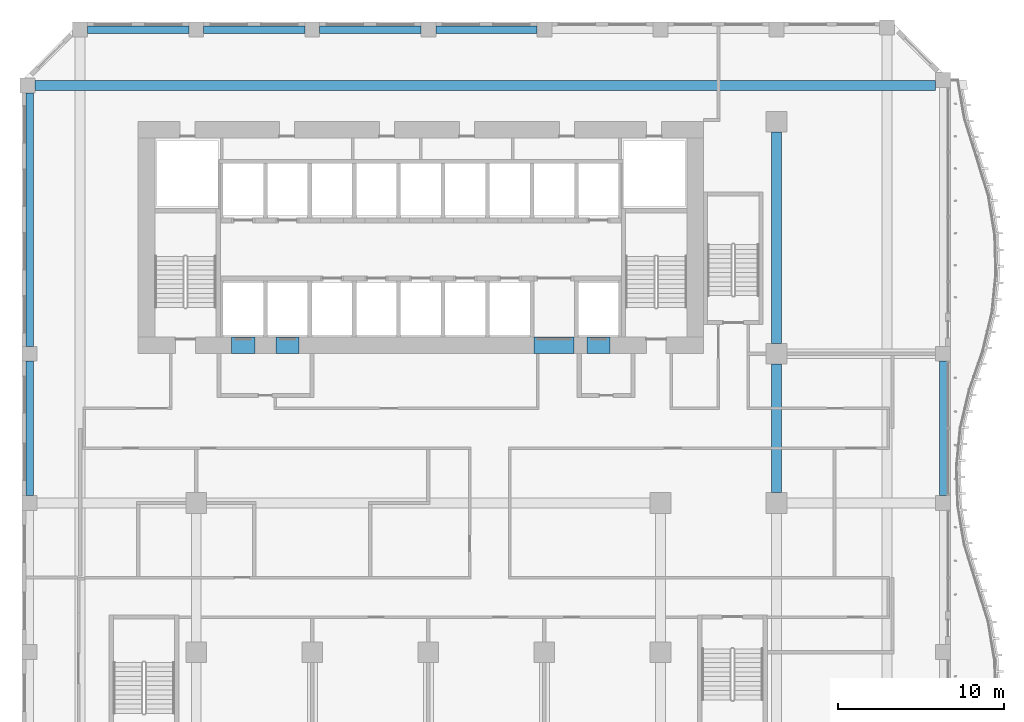
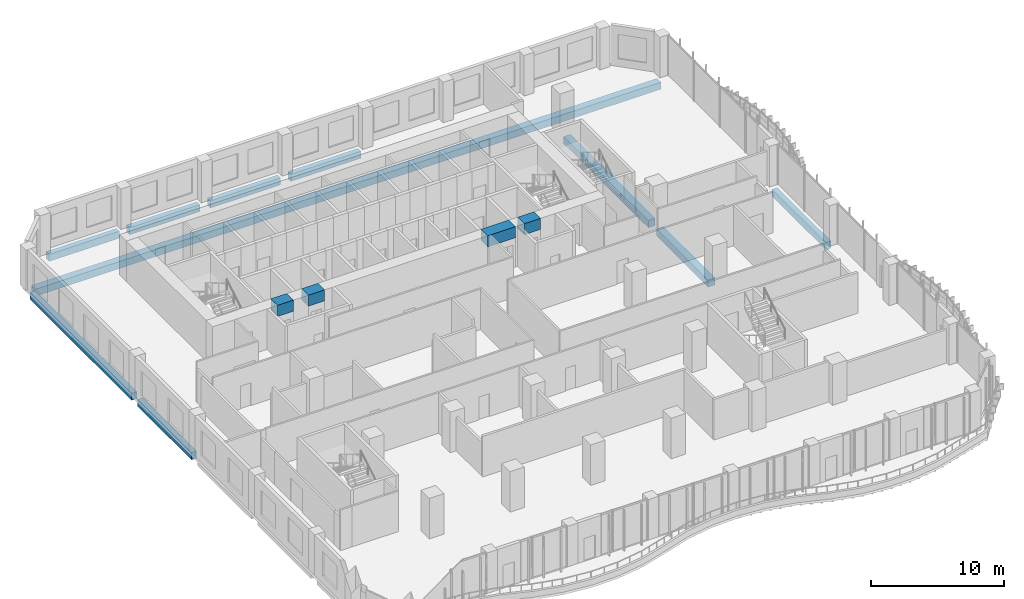
# One storey, part 7 of 25: 14 beams.
"""IFC4 building model written with IfcOpenShell, lengths in metres."""

from ifc_helpers import new_model, si_unit, direction, frame, origin, origin_2d, place, context, subcontext, project, spatial, rectangle, extrude, source, transform, mapped, material, material_profile, profile_set, type_object, element, save


model = new_model("IFC4")

# Units and contexts
model_context = context("Model", 3, precision=1e-05, world=origin(), true_north=direction((0.0, 1.0)))
body_context = subcontext(model_context, "Body", "Model", "MODEL_VIEW")
ifc_project = project(units=[si_unit("LENGTHUNIT", "METRE"), si_unit("AREAUNIT", "SQUARE_METRE"), si_unit("VOLUMEUNIT", "CUBIC_METRE"), si_unit("PLANEANGLEUNIT", "RADIAN"), si_unit("MASSUNIT", "GRAM", prefix="KILO")], contexts=[model_context])

# Site, building, storey
site_placement = place(None, origin())
site = spatial("IfcSite", under=ifc_project, at=site_placement, CompositionType="ELEMENT")
building_placement = place(site_placement, origin())
building = spatial("IfcBuilding", under=site, at=building_placement, Name="Kilnfold Tower and Market Hall", CompositionType="ELEMENT")
storey_placement = place(building_placement, frame((0.0, 0.0, 67.199951171875)))
storey = spatial("IfcBuildingStorey", under=building, at=storey_placement, Name="L15", CompositionType="ELEMENT", Elevation=67.199951171875)

# Beams
ifc_material_1 = material(Name="Concrete C45", Category="concrete")
ifc_material_profile_1 = material_profile(ifc_material_1, rectangle(XDim=0.449951171875, YDim=0.64990234375, at=origin_2d()), Name="RC 450x650")
ifc_profile_set_1 = profile_set([ifc_material_profile_1], Name="Concrete C45")
beam_type_1 = type_object("IfcBeamType", Name="EDGE BEAM 450X650 C45", PredefinedType="BEAM", material=ifc_profile_set_1)
shared_shape_1 = source(origin(), body_context, "Body", "SweptSolid", [
    extrude(rectangle(XDim=0.449951171875, YDim=0.64990234375, at=origin_2d()), origin(), (0.0, 0.0, 1.0), 6.10009765625),
])
for number, where, z_axis, x_axis, name in (
    (1, (-19.050048828125, 27.550048828125, -0.60498046875), (1.0, 0.0, 0.0), (0.0, 1.0, 0.0), "Beam EB650-B2.75"),
    (2, (-12.050048828125, 27.550048828125, -0.60498046875), (1.0, 0.0, 0.0), (0.0, 1.0, 0.0), "Beam EB650-B2.76"),
    (3, (-5.050048828125, 27.550048828125, -0.60498046875), (1.0, 0.0, 0.0), (0.0, 1.0, 0.0), "Beam EB650-B2.77"),
    (4, (1.949951171875, 27.550048828125, -0.60498046875), (1.0, 0.0, 0.0), (0.0, 1.0, 0.0), "Beam EB650-B2.78"),
):
    element("IfcBeam", number, at=place(storey_placement, frame(where, z_axis=z_axis, x_axis=x_axis)), inside=storey, type_object=beam_type_1, Name=name, PredefinedType="BEAM", context=body_context, shape_type="MappedRepresentation", body=[
        mapped(shared_shape_1, transform((0.0, 0.0, 0.0))),
    ])
ifc_material_2 = material(Name="Concrete C45", Category="concrete")
ifc_material_profile_2 = material_profile(ifc_material_2, rectangle(XDim=0.60009765625, YDim=0.64990234375, at=origin_2d()), Name="RC 600x650")
ifc_profile_set_2 = profile_set([ifc_material_profile_2], Name="Concrete C45")
beam_type_2 = type_object("IfcBeamType", Name="BEAM 600X650 C45", PredefinedType="BEAM", material=ifc_profile_set_2)
shared_shape_2 = source(origin(), body_context, "Body", "SweptSolid", [
    extrude(rectangle(XDim=0.60009765625, YDim=0.64990234375, at=origin_2d()), origin(), (0.0, 0.0, 1.0), 54.331787109375),
])
beam_1_placement = place(storey_placement, frame((-22.231689453125, 24.179931640625, -0.60498046875), z_axis=(1.0, 0.0, 0.0), x_axis=(0.0, 1.0, 0.0)))
element("IfcBeam", 5, at=beam_1_placement, inside=storey, type_object=beam_type_2, Name="Beam BB650-B2.74", PredefinedType="BEAM", context=body_context, shape_type="MappedRepresentation", body=[
    mapped(shared_shape_2, transform((0.0, 0.0, 0.0))),
])
shared_shape_3 = source(origin(), body_context, "Body", "SweptSolid", [
    extrude(rectangle(XDim=0.449951171875, YDim=0.64990234375, at=origin_2d()), origin(), (0.0, 0.0, 1.0), 8.10009765625),
])
for number, where, z_axis, x_axis, name in (
    (6, (-22.550048828125, -0.550048828125, -0.60498046875), (0.0, 1.0, 0.0), (-1.0, 0.0, 0.0), "Beam EB650-B2.40"),
    (7, (32.550048828125, -0.550048828125, -0.60498046875), (0.0, 1.0, 0.0), (-1.0, 0.0, 0.0), "Beam EB650-B2.102"),
):
    element("IfcBeam", number, at=place(storey_placement, frame(where, z_axis=z_axis, x_axis=x_axis)), inside=storey, type_object=beam_type_1, Name=name, PredefinedType="BEAM", context=body_context, shape_type="MappedRepresentation", body=[
        mapped(shared_shape_3, transform((0.0, 0.0, 0.0))),
    ])
shared_shape_4 = source(origin(), body_context, "Body", "SweptSolid", [
    extrude(rectangle(XDim=0.449951171875, YDim=0.64990234375, at=origin_2d()), origin(), (0.0, 0.0, 1.0), 15.28173828125),
])
beam_2_placement = place(storey_placement, frame((-22.550048828125, 8.449951171875, -0.60498046875), z_axis=(0.0, 1.0, 0.0), x_axis=(-1.0, 0.0, 0.0)))
element("IfcBeam", 8, at=beam_2_placement, inside=storey, type_object=beam_type_1, Name="Beam EB650-B2.41", PredefinedType="BEAM", context=body_context, shape_type="MappedRepresentation", body=[
    mapped(shared_shape_4, transform((0.0, 0.0, 0.0))),
])
ifc_material_3 = material(Name="Concrete C80", Category="concrete")
ifc_material_profile_3 = material_profile(ifc_material_3, rectangle(XDim=1.0, YDim=1.02001953125, at=origin_2d()), Name="RC 1000x1020")
ifc_profile_set_3 = profile_set([ifc_material_profile_3], Name="Concrete C80")
beam_type_3 = type_object("IfcBeamType", Name="COUPLING BEAM 1000X1020 C80", PredefinedType="BEAM", material=ifc_profile_set_3)
shared_shape_5 = source(origin(), body_context, "Body", "SweptSolid", [
    extrude(rectangle(XDim=1.0, YDim=1.02001953125, at=origin_2d()), origin(), (0.0, 0.0, 1.0), 1.400146484375),
])
beam_3_placement = place(storey_placement, frame((-10.3701171875, 8.5, 3.2099609375), z_axis=(1.0, 0.0, 0.0), x_axis=(0.0, 1.0, 0.0)))
element("IfcBeam", 9, at=beam_3_placement, inside=storey, type_object=beam_type_3, Name="Coupling beam CB1020-80-CORE.42", PredefinedType="BEAM", context=body_context, shape_type="MappedRepresentation", body=[
    mapped(shared_shape_5, transform((0.0, 0.0, 0.0))),
])
shared_shape_6 = source(origin(), body_context, "Body", "SweptSolid", [
    extrude(rectangle(XDim=1.0, YDim=1.02001953125, at=origin_2d()), origin(), (0.0, 0.0, 1.0), 1.39990234375),
])
for number, where, z_axis, x_axis, name in (
    (10, (-7.68994140625, 8.5, 3.2099609375), (1.0, 0.0, 0.0), (0.0, 1.0, 0.0), "Coupling beam CB1020-80-CORE.43"),
    (11, (11.070068359375, 8.5, 3.2099609375), (1.0, 0.0, 0.0), (0.0, 1.0, 0.0), "Coupling beam CB1020-80-CORE.45"),
):
    element("IfcBeam", number, at=place(storey_placement, frame(where, z_axis=z_axis, x_axis=x_axis)), inside=storey, type_object=beam_type_3, Name=name, PredefinedType="BEAM", context=body_context, shape_type="MappedRepresentation", body=[
        mapped(shared_shape_6, transform((0.0, 0.0, 0.0))),
    ])
shared_shape_7 = source(origin(), body_context, "Body", "SweptSolid", [
    extrude(rectangle(XDim=1.0, YDim=1.02001953125, at=origin_2d()), origin(), (0.0, 0.0, 1.0), 2.400146484375),
])
beam_4_placement = place(storey_placement, frame((7.889892578125, 8.5, 3.2099609375), z_axis=(1.0, 0.0, 0.0), x_axis=(0.0, 1.0, 0.0)))
element("IfcBeam", 12, at=beam_4_placement, inside=storey, type_object=beam_type_3, Name="Coupling beam CB1020-80-CORE.44", PredefinedType="BEAM", context=body_context, shape_type="MappedRepresentation", body=[
    mapped(shared_shape_7, transform((0.0, 0.0, 0.0))),
])
shared_shape_8 = source(origin(), body_context, "Body", "SweptSolid", [
    extrude(rectangle(XDim=0.60009765625, YDim=0.64990234375, at=origin_2d()), origin(), (0.0, 0.0, 1.0), 7.75),
])
beam_5_placement = place(storey_placement, frame((22.5, -0.375, -0.60498046875), z_axis=(0.0, 1.0, 0.0), x_axis=(-1.0, 0.0, 0.0)))
element("IfcBeam", 13, at=beam_5_placement, inside=storey, type_object=beam_type_2, Name="Beam BB650-B2.96", PredefinedType="BEAM", context=body_context, shape_type="MappedRepresentation", body=[
    mapped(shared_shape_8, transform((0.0, 0.0, 0.0))),
])
shared_shape_9 = source(origin(), body_context, "Body", "SweptSolid", [
    extrude(rectangle(XDim=0.60009765625, YDim=0.64990234375, at=origin_2d()), origin(), (0.0, 0.0, 1.0), 12.75),
])
beam_6_placement = place(storey_placement, frame((22.5, 8.625, -0.60498046875), z_axis=(0.0, 1.0, 0.0), x_axis=(-1.0, 0.0, 0.0)))
element("IfcBeam", 14, at=beam_6_placement, inside=storey, type_object=beam_type_2, Name="Beam BB650-B2.97", PredefinedType="BEAM", context=body_context, shape_type="MappedRepresentation", body=[
    mapped(shared_shape_9, transform((0.0, 0.0, 0.0))),
])

save(model, "model.ifc")
